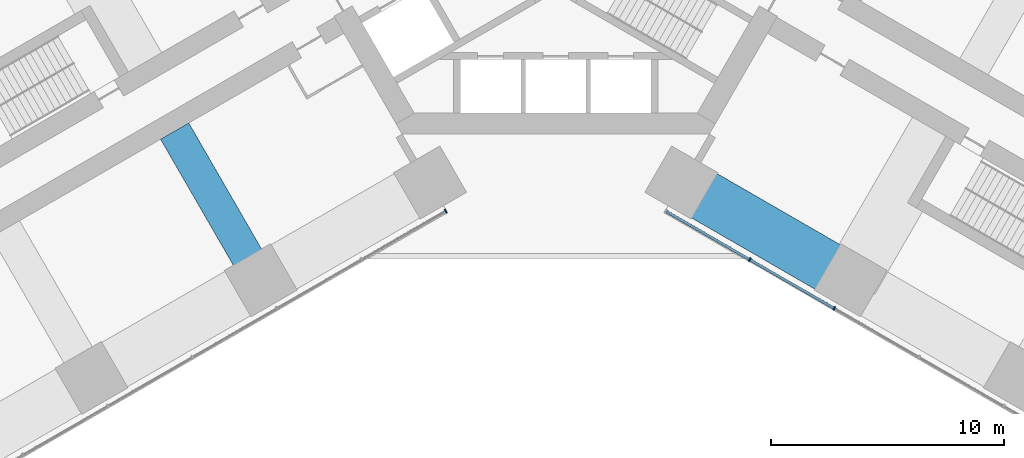
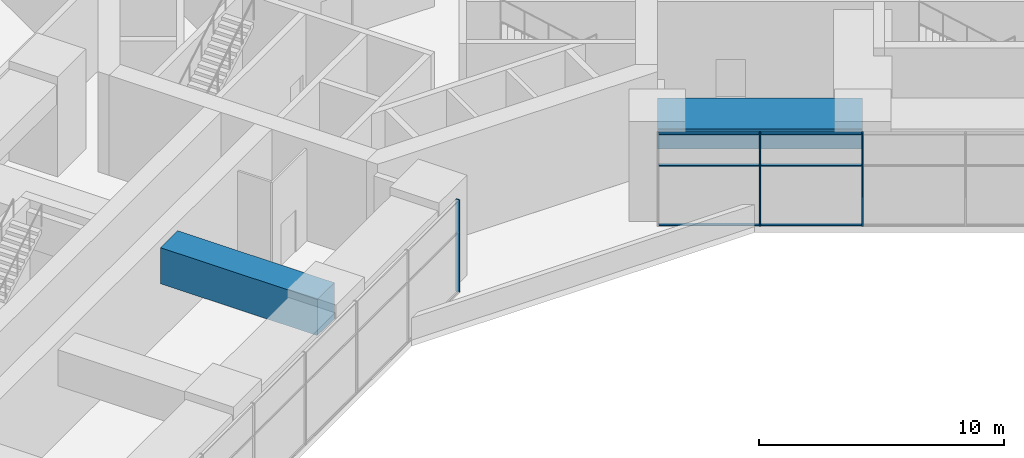
# One storey, part 5 of 33: 9 members, 2 beams, 2 elements without a shape of their own.
"""IFC4 building model written with IfcOpenShell, lengths in metres."""

from ifc_helpers import new_model, si_unit, direction, frame, origin, origin_2d, place, context, subcontext, project, spatial, rectangle, extrude, material, material_profile, profile_set, type_object, element, aggregate, save


model = new_model("IFC4")

# Units and contexts
model_context = context("Model", 3, precision=1e-05, world=origin(), true_north=direction((0.0, 1.0)))
body_context = subcontext(model_context, "Body", "Model", "MODEL_VIEW")
ifc_project = project(units=[si_unit("LENGTHUNIT", "METRE"), si_unit("AREAUNIT", "SQUARE_METRE"), si_unit("VOLUMEUNIT", "CUBIC_METRE"), si_unit("PLANEANGLEUNIT", "RADIAN"), si_unit("MASSUNIT", "GRAM", prefix="KILO")], contexts=[model_context])

# Site, building, storey
site_placement = place(None, origin())
site = spatial("IfcSite", under=ifc_project, at=site_placement, CompositionType="ELEMENT")
building_placement = place(site_placement, origin())
building = spatial("IfcBuilding", under=site, at=building_placement, Name="Impinga Residences", CompositionType="ELEMENT")
storey_placement = place(building_placement, frame((0.0, 0.0, 21.0)))
storey = spatial("IfcBuildingStorey", under=building, at=storey_placement, Name="L04", CompositionType="ELEMENT", Elevation=21.0)

# Beam
ifc_material_1 = material(Name="Concrete C60/75", Category="concrete")
ifc_material_profile_1 = material_profile(ifc_material_1, rectangle(XDim=1.39990234375, YDim=1.800048828125, at=origin_2d()), Name="RC 1400x1800")
ifc_profile_set_1 = profile_set([ifc_material_profile_1], Name="Concrete C60/75")
beam_type_1 = type_object("IfcBeamType", Name="CG4 1400x1800 cross girder on a wing bay line under the podium floors", PredefinedType="BEAM", material=ifc_profile_set_1)
beam_1_placement = place(storey_placement, frame((-16.37451171875, -11.301513671875, 3.699951171875), z_axis=(0.500003285667, -0.866023506795, 0.0), x_axis=(0.866023506795, 0.500003285667, 0.0)))
element("IfcBeam", 1, at=beam_1_placement, inside=storey, type_object=beam_type_1, Name="Beam CG4 W2 WC/WA level L05", PredefinedType="BEAM", context=body_context, shape_type="SweptSolid", body=[
    extrude(rectangle(XDim=1.39990234375, YDim=1.800048828125, at=origin_2d()), origin(), (0.0, 0.0, 1.0), 7.39990234375),
])

# Curtain wall, members
ifc_material_2 = material(Name="Aluminium stick curtain wall", Category="aluminium")
curtain_wall_type = type_object("IfcCurtainWallType", Name="CW1 podium amenity curtain wall", PredefinedType="USERDEFINED", material=ifc_material_2)
curtain_wall_1_placement = place(storey_placement, origin())
curtain_wall_1 = element("IfcCurtainWall", 2, at=curtain_wall_1_placement, inside=storey, type_object=curtain_wall_type, Name="Curtain wall CW1 L04", ObjectType="STICK CURTAIN WALL", PredefinedType="USERDEFINED")
ifc_material_3 = material(Name="Aluminium mullion", Category="aluminium")
ifc_material_profile_2 = material_profile(ifc_material_3, rectangle(XDim=0.06005859375, YDim=0.179931640625, at=origin_2d()), Name="60x180 mullion")
ifc_profile_set_2 = profile_set([ifc_material_profile_2], Name="Aluminium mullion")
member_type_1 = type_object("IfcMemberType", Name="CW1-M mullion 60x180", PredefinedType="MULLION", material=ifc_profile_set_2)
member_1_placement = place(storey_placement, frame((11.974609375, -18.92236328125, 0.0), z_axis=(0.0, 0.0, 1.0), x_axis=(-0.866025407005, 0.499999994423, 0.0)))
member_1 = element("IfcMember", 3, at=member_1_placement, type_object=member_type_1, Name="CW1 mullion 7", PredefinedType="MULLION", context=body_context, shape_type="SweptSolid", body=[
    extrude(rectangle(XDim=0.06005859375, YDim=0.179931640625, at=origin_2d()), origin(), (0.0, 0.0, 1.0), 4.60009765625),
])
member_2_placement = place(storey_placement, frame((8.33740234375, -16.822509765625, 0.0), z_axis=(0.0, 0.0, 1.0), x_axis=(-0.866025407005, 0.499999994423, 0.0)))
member_2 = element("IfcMember", 4, at=member_2_placement, type_object=member_type_1, Name="CW1 mullion 8", PredefinedType="MULLION", context=body_context, shape_type="SweptSolid", body=[
    extrude(rectangle(XDim=0.06005859375, YDim=0.179931640625, at=origin_2d()), origin(), (0.0, 0.0, 1.0), 4.60009765625),
])

# Curtain wall, member
curtain_wall_2_placement = place(storey_placement, origin())
curtain_wall_2 = element("IfcCurtainWall", 5, at=curtain_wall_2_placement, inside=storey, type_object=curtain_wall_type, Name="Curtain wall CW1 L04", ObjectType="STICK CURTAIN WALL", PredefinedType="USERDEFINED")
member_3_placement = place(storey_placement, frame((-4.72607421875, -14.737548828125, 0.0), z_axis=(0.0, 0.0, 1.0), x_axis=(-0.866025407005, -0.499999994423, 0.0)))
member_3 = element("IfcMember", 6, at=member_3_placement, type_object=member_type_1, Name="CW1 mullion 1", PredefinedType="MULLION", context=body_context, shape_type="SweptSolid", body=[
    extrude(rectangle(XDim=0.06005859375, YDim=0.179931640625, at=origin_2d()), origin(), (0.0, 0.0, 1.0), 4.60009765625),
])
aggregate(curtain_wall_2, [member_3])

# Member
ifc_material_4 = material(Name="Aluminium transom", Category="aluminium")
ifc_material_profile_3 = material_profile(ifc_material_4, rectangle(XDim=0.06005859375, YDim=0.1201171875, at=origin_2d()), Name="60x120 transom")
ifc_profile_set_3 = profile_set([ifc_material_profile_3], Name="Aluminium transom")
member_type_2 = type_object("IfcMemberType", Name="CW1-T transom 60x120", PredefinedType="USERDEFINED", material=ifc_profile_set_3)
member_4_placement = place(storey_placement, frame((11.94873046875, -18.907470703125, 0.030029296875), z_axis=(-0.866024536972, 0.500001501361, 0.0), x_axis=(0.0, 0.0, 1.0)))
member_4 = element("IfcMember", 7, at=member_4_placement, type_object=member_type_2, Name="CW1 transom 7.1", ObjectType="TRANSOM", PredefinedType="USERDEFINED", context=body_context, shape_type="SweptSolid", body=[
    extrude(rectangle(XDim=0.06005859375, YDim=0.1201171875, at=origin_2d()), origin(), (0.0, 0.0, 1.0), 4.14013671875),
])

member_5_placement = place(storey_placement, frame((11.94873046875, -18.907470703125, 3.0), z_axis=(-0.866024536972, 0.500001501361, 0.0), x_axis=(0.0, 0.0, 1.0)))
member_5 = element("IfcMember", 8, at=member_5_placement, type_object=member_type_2, Name="CW1 transom 7.2", ObjectType="TRANSOM", PredefinedType="USERDEFINED", context=body_context, shape_type="SweptSolid", body=[
    extrude(rectangle(XDim=0.06005859375, YDim=0.1201171875, at=origin_2d()), origin(), (0.0, 0.0, 1.0), 4.14013671875),
])

member_6_placement = place(storey_placement, frame((11.94873046875, -18.907470703125, 4.570068359375), z_axis=(-0.866024536972, 0.500001501361, 0.0), x_axis=(0.0, 0.0, 1.0)))
member_6 = element("IfcMember", 9, at=member_6_placement, type_object=member_type_2, Name="CW1 transom 7.3", ObjectType="TRANSOM", PredefinedType="USERDEFINED", context=body_context, shape_type="SweptSolid", body=[
    extrude(rectangle(XDim=0.06005859375, YDim=0.1201171875, at=origin_2d()), origin(), (0.0, 0.0, 1.0), 4.14013671875),
])

member_7_placement = place(storey_placement, frame((8.311279296875, -16.807373046875, 0.030029296875), z_axis=(-0.866030279993, 0.499991554064, 0.0), x_axis=(0.0, 0.0, 1.0)))
member_7 = element("IfcMember", 10, at=member_7_placement, type_object=member_type_2, Name="CW1 transom 8.1", ObjectType="TRANSOM", PredefinedType="USERDEFINED", context=body_context, shape_type="SweptSolid", body=[
    extrude(rectangle(XDim=0.06005859375, YDim=0.1201171875, at=origin_2d()), origin(), (0.0, 0.0, 1.0), 4.10986328125),
])

member_8_placement = place(storey_placement, frame((8.311279296875, -16.807373046875, 3.0), z_axis=(-0.866030279993, 0.499991554064, 0.0), x_axis=(0.0, 0.0, 1.0)))
member_8 = element("IfcMember", 11, at=member_8_placement, type_object=member_type_2, Name="CW1 transom 8.2", ObjectType="TRANSOM", PredefinedType="USERDEFINED", context=body_context, shape_type="SweptSolid", body=[
    extrude(rectangle(XDim=0.06005859375, YDim=0.1201171875, at=origin_2d()), origin(), (0.0, 0.0, 1.0), 4.10986328125),
])

member_9_placement = place(storey_placement, frame((8.311279296875, -16.807373046875, 4.570068359375), z_axis=(-0.866030279993, 0.499991554064, 0.0), x_axis=(0.0, 0.0, 1.0)))
member_9 = element("IfcMember", 12, at=member_9_placement, type_object=member_type_2, Name="CW1 transom 8.3", ObjectType="TRANSOM", PredefinedType="USERDEFINED", context=body_context, shape_type="SweptSolid", body=[
    extrude(rectangle(XDim=0.06005859375, YDim=0.1201171875, at=origin_2d()), origin(), (0.0, 0.0, 1.0), 4.10986328125),
])

aggregate(curtain_wall_1, [member_1, member_2, member_4, member_5, member_6, member_7, member_8, member_9])

# Beam
ifc_material_profile_4 = material_profile(ifc_material_1, rectangle(XDim=2.199951171875, YDim=1.0, at=origin_2d()), Name="RC 2200x1000")
ifc_profile_set_4 = profile_set([ifc_material_profile_4], Name="Concrete C60/75")
beam_type_2 = type_object("IfcBeamType", Name="PB3 2200x1000 podium band beam", PredefinedType="BEAM", material=ifc_profile_set_4)
beam_2_placement = place(storey_placement, frame((5.39990234375, -13.510009765625, 4.10009765625), z_axis=(0.86602925447, -0.499993330357, 0.0), x_axis=(0.499993330357, 0.86602925447, 0.0)))
element("IfcBeam", 13, at=beam_2_placement, inside=storey, type_object=beam_type_2, Name="Beam PB3 EF E1-E2 level L05", PredefinedType="BEAM", context=body_context, shape_type="SweptSolid", body=[
    extrude(rectangle(XDim=2.199951171875, YDim=1.0, at=origin_2d()), origin(), (0.0, 0.0, 1.0), 8.39990234375),
])

save(model, "model.ifc")
